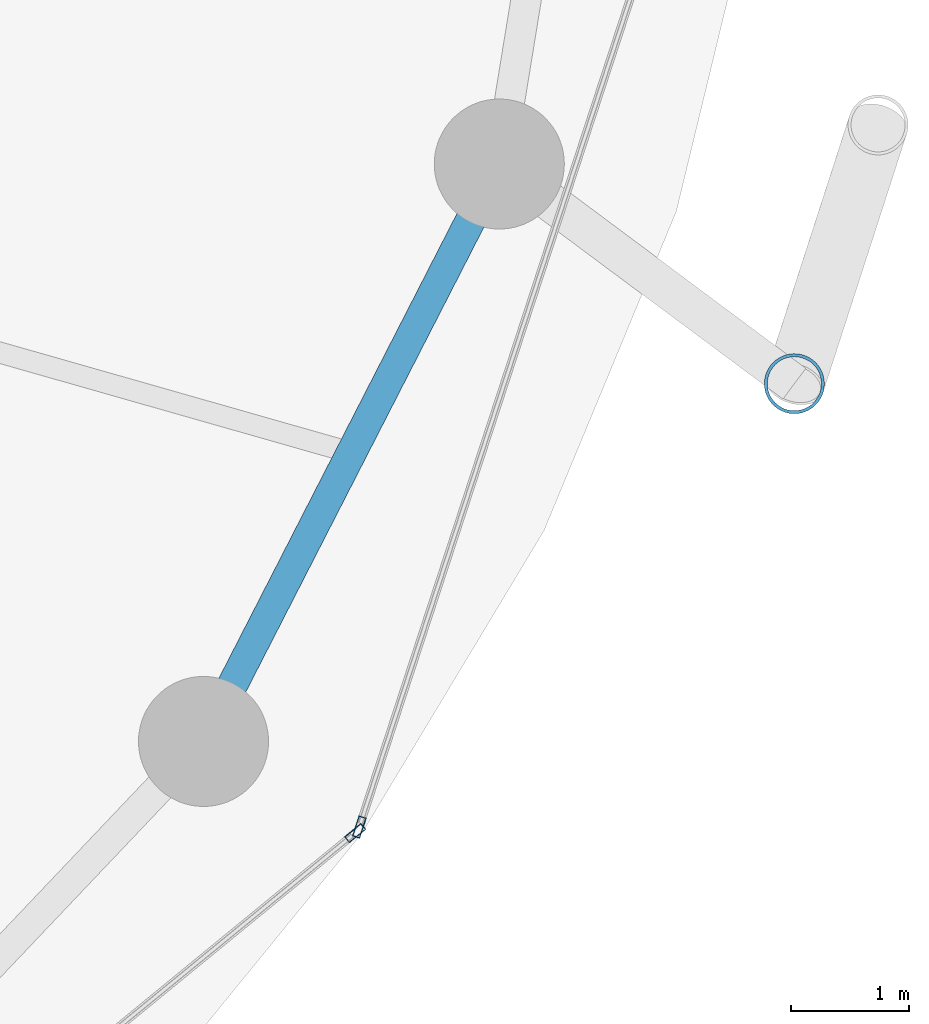
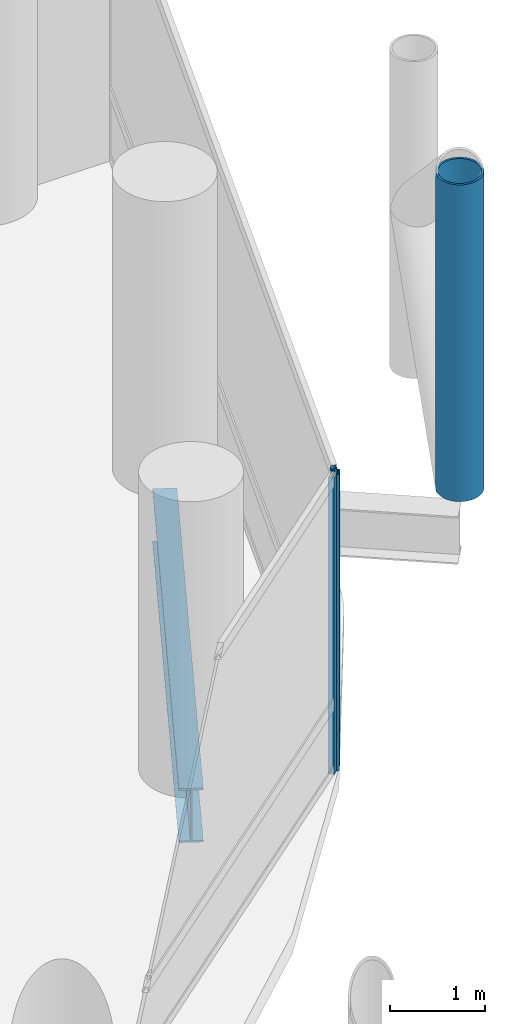
# One storey, part 10 of 24: 3 members, 1 beam, 2 elements without a shape of their own.
"""IFC4 building model written with IfcOpenShell, lengths in metres."""

from ifc_helpers import new_model, si_unit, direction, frame, origin, origin_2d, place, context, subcontext, project, spatial, hollow_rectangle, hollow_circle, i_section, extrude, material, layer, layer_set, material_profile, profile_set, type_object, element, aggregate, save


model = new_model("IFC4")

# Units and contexts
model_context = context("Model", 3, precision=1e-05, world=origin(), true_north=direction((0.0, 1.0)))
body_context = subcontext(model_context, "Body", "Model", "MODEL_VIEW")
ifc_project = project(units=[si_unit("LENGTHUNIT", "METRE"), si_unit("AREAUNIT", "SQUARE_METRE"), si_unit("VOLUMEUNIT", "CUBIC_METRE"), si_unit("PLANEANGLEUNIT", "RADIAN"), si_unit("MASSUNIT", "GRAM", prefix="KILO")], contexts=[model_context])

# Site, building, storey
site_placement = place(None, origin())
site = spatial("IfcSite", under=ifc_project, at=site_placement, CompositionType="ELEMENT")
building_placement = place(site_placement, origin())
building = spatial("IfcBuilding", under=site, at=building_placement, Name="Nuhasar Tower", CompositionType="ELEMENT")
storey_placement = place(building_placement, frame((0.0, 0.0, 25.050048828125)))
storey = spatial("IfcBuildingStorey", under=building, at=storey_placement, Name="L05", CompositionType="ELEMENT", Elevation=25.050048828125)

# Beam
ifc_material_1 = material(Name="Steel S355", Category="steel")
ifc_material_profile_1 = material_profile(ifc_material_1, i_section(OverallWidth=0.256103515625, OverallDepth=0.693115234375, WebThickness=0.014404296875, FlangeThickness=0.023681640625, at=origin_2d()), Name="W27X114")
ifc_profile_set_1 = profile_set([ifc_material_profile_1], Name="Steel S355")
beam_type = type_object("IfcBeamType", Name="BM-RING-W27X114", PredefinedType="SPANDREL", material=ifc_profile_set_1)
beam_placement = place(storey_placement, frame((60.694091796875, 16.675048828125, -0.60595703125), z_axis=(0.455930023905, 0.890015625314, 0.0), x_axis=(-0.890015625314, 0.455930023905, 0.0)))
element("IfcBeam", 1, at=beam_placement, inside=storey, type_object=beam_type, Name="L05 Perimeter Ring Spandrel 23", PredefinedType="SPANDREL", context=body_context, shape_type="SweptSolid", body=[
    extrude(i_section(OverallWidth=0.256103515625, OverallDepth=0.693115234375, WebThickness=0.014404296875, FlangeThickness=0.023681640625, at=origin_2d()), origin(), (0.0, 0.0, 1.0), 5.487548828125),
])

# Curtain wall, member
ifc_material_2 = material(Name="Aluminium 6063-T6", Category="aluminium")
ifc_layer = layer(ifc_material_2, 0.199951171875)
ifc_layer_set = layer_set([ifc_layer], Name="Aluminium 6063-T6")
curtain_wall_type = type_object("IfcCurtainWallType", Name="CW-Z1-OFF", PredefinedType="NOTDEFINED", material=ifc_layer_set)
curtain_wall_1_placement = place(storey_placement, origin())
curtain_wall_1 = element("IfcCurtainWall", 2, at=curtain_wall_1_placement, inside=storey, type_object=curtain_wall_type, Name="L05 Unitised Curtain Wall 11", PredefinedType="NOTDEFINED")
ifc_material_profile_2 = material_profile(ifc_material_2, hollow_rectangle(XDim=0.06494140625, YDim=0.179931640625, WallThickness=0.0048828125, at=origin_2d()), Name="CWM-2")
ifc_profile_set_2 = profile_set([ifc_material_profile_2], Name="Aluminium 6063-T6")
member_type_1 = type_object("IfcMemberType", Name="CW-MUL-S2", PredefinedType="MULLION", material=ifc_profile_set_2)
member_1_placement = place(storey_placement, frame((61.976806640625, 15.8994140625, 0.0), z_axis=(0.0, 0.0, 1.0), x_axis=(-0.633744593376, 0.773542364946, 0.0)))
member_1 = element("IfcMember", 3, at=member_1_placement, type_object=member_type_1, Name="CW-Z1 mullion 2", PredefinedType="MULLION", context=body_context, shape_type="SweptSolid", body=[
    extrude(hollow_rectangle(XDim=0.06494140625, YDim=0.179931640625, WallThickness=0.0048828125, at=origin_2d()), origin(), (0.0, 0.0, 1.0), 3.7900390625),
])
aggregate(curtain_wall_1, [member_1])

curtain_wall_2_placement = place(storey_placement, origin())
curtain_wall_2 = element("IfcCurtainWall", 4, at=curtain_wall_2_placement, inside=storey, type_object=curtain_wall_type, Name="L05 Unitised Curtain Wall 12", PredefinedType="NOTDEFINED")
member_2_placement = place(storey_placement, frame((62.01220703125, 15.950927734375, 0.0), z_axis=(0.0, 0.0, 1.0), x_axis=(-0.950467534571, 0.310823849997, 0.0)))
member_2 = element("IfcMember", 5, at=member_2_placement, type_object=member_type_1, Name="CW-Z1 mullion 1", PredefinedType="MULLION", context=body_context, shape_type="SweptSolid", body=[
    extrude(hollow_rectangle(XDim=0.06494140625, YDim=0.179931640625, WallThickness=0.0048828125, at=origin_2d()), origin(), (0.0, 0.0, 1.0), 3.7900390625),
])
aggregate(curtain_wall_2, [member_2])

# Member
ifc_material_3 = material(Name="Steel S460", Category="steel")
ifc_material_profile_3 = material_profile(ifc_material_3, hollow_circle(Radius=0.25390625, WallThickness=0.025390625, at=origin_2d()), Name="HSS508X25.4")
ifc_profile_set_3 = profile_set([ifc_material_profile_3], Name="Steel S460")
member_type_2 = type_object("IfcMemberType", Name="EXO-BRONZE-508", PredefinedType="BRACE", material=ifc_profile_set_3)
member_3_placement = place(storey_placement, frame((65.69189453125, 19.700927734375, 0.0), z_axis=(0.0, 0.0, 1.0), x_axis=(1.0, 0.0, 0.0)))
element("IfcMember", 6, at=member_3_placement, inside=storey, type_object=member_type_2, Name="L05 Exoskeleton Chord Column EC-12A", PredefinedType="BRACE", context=body_context, shape_type="SweptSolid", body=[
    extrude(hollow_circle(Radius=0.25390625, WallThickness=0.025390625, at=origin_2d()), origin(), (0.0, 0.0, 1.0), 4.050048828125),
])

save(model, "model.ifc")
